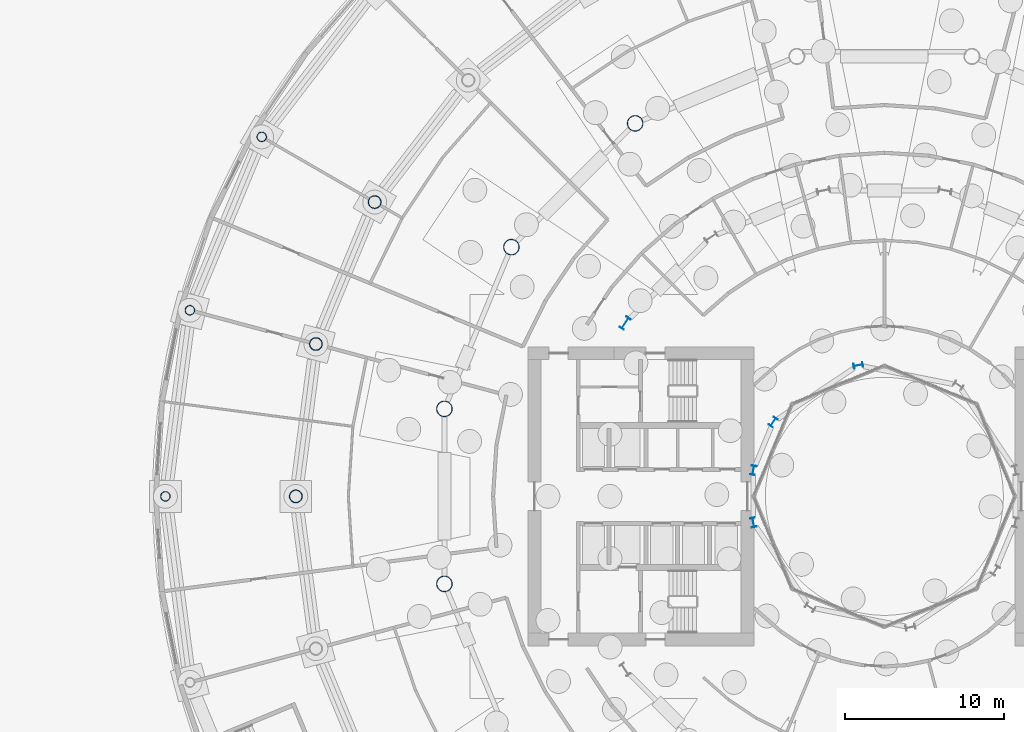
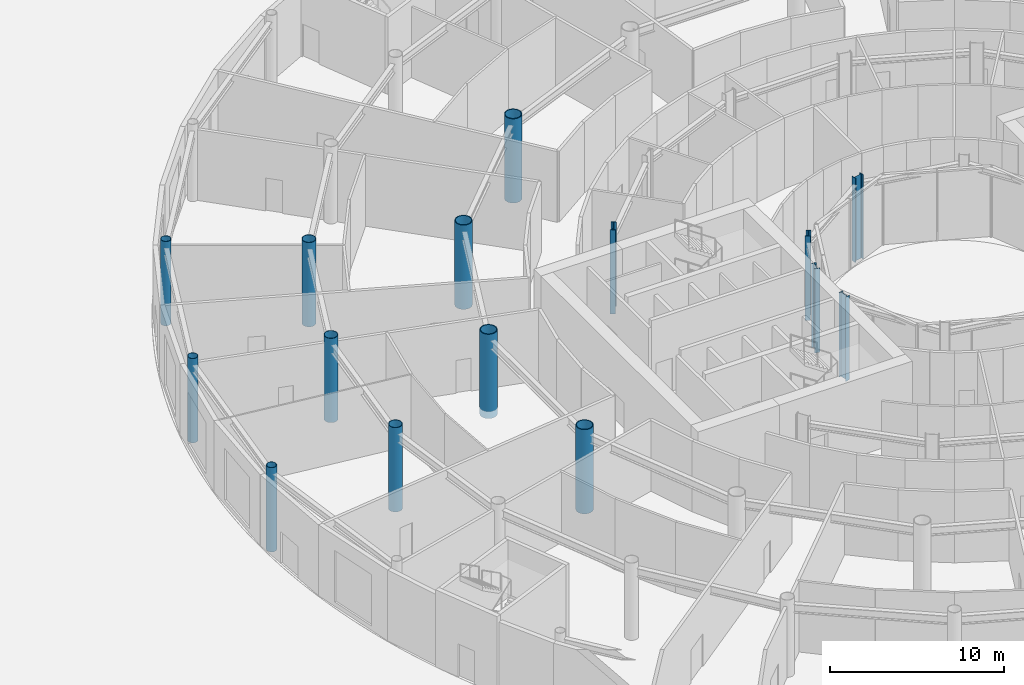
# One storey, part 7 of 41: 15 columns.
"""IFC4 building model written with IfcOpenShell, lengths in metres."""

from ifc_helpers import new_model, si_unit, direction, frame, origin, origin_2d, place, context, subcontext, project, spatial, hollow_circle, i_section, extrude, material, material_profile, profile_set, type_object, element, save


model = new_model("IFC4")

# Units and contexts
model_context = context("Model", 3, precision=1e-05, world=origin(), true_north=direction((0.0, 1.0)))
body_context = subcontext(model_context, "Body", "Model", "MODEL_VIEW")
ifc_project = project(units=[si_unit("LENGTHUNIT", "METRE"), si_unit("AREAUNIT", "SQUARE_METRE"), si_unit("VOLUMEUNIT", "CUBIC_METRE"), si_unit("PLANEANGLEUNIT", "RADIAN"), si_unit("MASSUNIT", "GRAM", prefix="KILO")], contexts=[model_context])

# Site, building, storey
site_placement = place(None, origin())
site = spatial("IfcSite", under=ifc_project, at=site_placement, CompositionType="ELEMENT")
building_placement = place(site_placement, origin())
building = spatial("IfcBuilding", under=site, at=building_placement, Name="Maasbend Ring Residences", CompositionType="ELEMENT")
storey_placement = place(building_placement, origin())
storey = spatial("IfcBuildingStorey", under=building, at=storey_placement, Name="L00", CompositionType="ELEMENT", Elevation=0.0)

# Columns
ifc_material_1 = material(Name="Composite concrete-filled steel tube S460NH / C80/95", Category="concrete")
ifc_material_profile_1 = material_profile(ifc_material_1, hollow_circle(Radius=0.508056640625, WallThickness=0.050048828125, at=origin_2d()), Name="Composite tube column CHS 1016x50")
ifc_profile_set_1 = profile_set([ifc_material_profile_1], Name="Composite concrete-filled steel tube S460NH / C80/95")
column_type_1 = type_object("IfcColumnType", Name="Composite tube column CHS 1016x50", PredefinedType="COLUMN", material=ifc_profile_set_1)
for number, where, z_axis, x_axis, name in (
    (1, (-15.6669921875, 23.447509765625, -0.5), (0.0, 0.0, 1.0), (1.0, 0.0, 0.0), "Outer column R6"),
    (2, (-23.447509765625, 15.6669921875, -0.5), (0.0, 0.0, 1.0), (1.0, 0.0, 0.0), "Outer column R7"),
    (3, (-27.658203125, 5.50146484375, -0.5), (0.0, 0.0, 1.0), (1.0, 0.0, 0.0), "Outer column R8"),
    (4, (-27.658203125, -5.50146484375, -0.5), (0.0, 0.0, 1.0), (1.0, 0.0, 0.0), "Outer column R9"),
):
    element("IfcColumn", number, at=place(storey_placement, frame(where, z_axis=z_axis, x_axis=x_axis)), inside=storey, type_object=column_type_1, Name=name, PredefinedType="COLUMN", context=body_context, shape_type="SweptSolid", body=[
        extrude(hollow_circle(Radius=0.508056640625, WallThickness=0.050048828125, at=origin_2d()), origin(), (0.0, 0.0, 1.0), 5.89990234375),
    ])
ifc_material_2 = material(Name="Composite concrete-filled steel tube S460NH / C80/95", Category="concrete")
ifc_material_profile_2 = material_profile(ifc_material_2, hollow_circle(Radius=0.304931640625, WallThickness=0.02490234375, at=origin_2d()), Name="Composite tube column CHS 610x25")
ifc_profile_set_2 = profile_set([ifc_material_profile_2], Name="Composite concrete-filled steel tube S460NH / C80/95")
column_type_2 = type_object("IfcColumnType", Name="Composite tube column CHS 610x25", PredefinedType="COLUMN", material=ifc_profile_set_2)
for number, where, z_axis, x_axis, name in (
    (5, (-39.144287109375, 22.60009765625, -0.5), (0.0, 0.0, 1.0), (1.0, 0.0, 0.0), "Deck edge column B11"),
    (6, (-43.659912109375, 11.698486328125, -0.5), (0.0, 0.0, 1.0), (1.0, 0.0, 0.0), "Deck edge column B12"),
    (7, (-45.199951171875, 0.0, -0.5), (0.0, 0.0, 1.0), (1.0, 0.0, 0.0), "Deck edge column B13"),
):
    element("IfcColumn", number, at=place(storey_placement, frame(where, z_axis=z_axis, x_axis=x_axis)), inside=storey, type_object=column_type_2, Name=name, PredefinedType="COLUMN", context=body_context, shape_type="SweptSolid", body=[
        extrude(hollow_circle(Radius=0.304931640625, WallThickness=0.02490234375, at=origin_2d()), origin(), (0.0, 0.0, 1.0), 5.89990234375),
    ])
ifc_material_3 = material(Name="Composite concrete-filled steel tube S460NH / C80/95", Category="concrete")
ifc_material_profile_3 = material_profile(ifc_material_3, hollow_circle(Radius=0.406494140625, WallThickness=0.030029296875, at=origin_2d()), Name="Composite tube column CHS 813x30")
ifc_profile_set_3 = profile_set([ifc_material_profile_3], Name="Composite concrete-filled steel tube S460NH / C80/95")
column_type_3 = type_object("IfcColumnType", Name="Composite tube column CHS 813x30", PredefinedType="COLUMN", material=ifc_profile_set_3)
for number, where, z_axis, x_axis, name in (
    (8, (-32.04296875, 18.5, -0.5), (0.0, 0.0, 1.0), (1.0, 0.0, 0.0), "Podium column B11"),
    (9, (-35.7392578125, 9.576416015625, -0.5), (0.0, 0.0, 1.0), (1.0, 0.0, 0.0), "Podium column B12"),
    (10, (-37.0, 0.0, -0.5), (0.0, 0.0, 1.0), (1.0, 0.0, 0.0), "Podium column B13"),
):
    element("IfcColumn", number, at=place(storey_placement, frame(where, z_axis=z_axis, x_axis=x_axis)), inside=storey, type_object=column_type_3, Name=name, PredefinedType="COLUMN", context=body_context, shape_type="SweptSolid", body=[
        extrude(hollow_circle(Radius=0.406494140625, WallThickness=0.030029296875, at=origin_2d()), origin(), (0.0, 0.0, 1.0), 5.89990234375),
    ])
ifc_material_4 = material(Name="Steel S460M", Category="steel")
ifc_material_profile_4 = material_profile(ifc_material_4, i_section(OverallWidth=0.300048828125, OverallDepth=0.60009765625, WebThickness=0.015380859375, FlangeThickness=0.030029296875, FilletRadius=0.027099609375, at=origin_2d()), Name="HEB 600")
ifc_profile_set_4 = profile_set([ifc_material_profile_4], Name="Steel S460M")
column_type_4 = type_object("IfcColumnType", Name="Steel column HEB 600", PredefinedType="COLUMN", material=ifc_profile_set_4)
for number, where, z_axis, x_axis, name in (
    (11, (-1.638916015625, 8.238525390625, -0.5), (0.0, 0.0, 1.0), (-0.195090322016, 0.980785280403, 0.0), "Well ring column R5"),
    (12, (-6.984375, 4.666748046875, -0.5), (0.0, 0.0, 1.0), (-0.831469612303, 0.55557023302, 0.0), "Well ring column R7"),
    (13, (-8.238525390625, 1.638916015625, -0.5), (0.0, 0.0, 1.0), (-0.980785280403, 0.195090322016, 0.0), "Well ring column R8"),
    (14, (-8.238525390625, -1.638916015625, -0.5), (0.0, 0.0, 1.0), (-0.980785280403, -0.195090322016, 0.0), "Well ring column R9"),
):
    element("IfcColumn", number, at=place(storey_placement, frame(where, z_axis=z_axis, x_axis=x_axis)), inside=storey, type_object=column_type_4, Name=name, PredefinedType="COLUMN", context=body_context, shape_type="SweptSolid", body=[
        extrude(i_section(OverallWidth=0.300048828125, OverallDepth=0.60009765625, WebThickness=0.015380859375, FlangeThickness=0.030029296875, FilletRadius=0.027099609375, at=origin_2d()), origin(), (0.0, 0.0, 1.0), 5.89990234375),
    ])
ifc_material_5 = material(Name="Steel S460M", Category="steel")
ifc_material_profile_5 = material_profile(ifc_material_5, i_section(OverallWidth=0.302978515625, OverallDepth=0.81396484375, WebThickness=0.02099609375, FlangeThickness=0.0400390625, FilletRadius=0.030029296875, at=origin_2d()), Name="HEM 800")
ifc_profile_set_5 = profile_set([ifc_material_profile_5], Name="Steel S460M")
column_type_5 = type_object("IfcColumnType", Name="Steel column HEM 800", PredefinedType="COLUMN", material=ifc_profile_set_5)
column_placement = place(storey_placement, frame((-16.296875, 10.88916015625, -0.5), z_axis=(0.0, 0.0, 1.0), x_axis=(-0.831469612303, 0.55557023302, 0.0)))
element("IfcColumn", 15, at=column_placement, inside=storey, type_object=column_type_5, Name="Corridor ring column R7", PredefinedType="COLUMN", context=body_context, shape_type="SweptSolid", body=[
    extrude(i_section(OverallWidth=0.302978515625, OverallDepth=0.81396484375, WebThickness=0.02099609375, FlangeThickness=0.0400390625, FilletRadius=0.030029296875, at=origin_2d()), origin(), (0.0, 0.0, 1.0), 5.89990234375),
])

save(model, "model.ifc")
